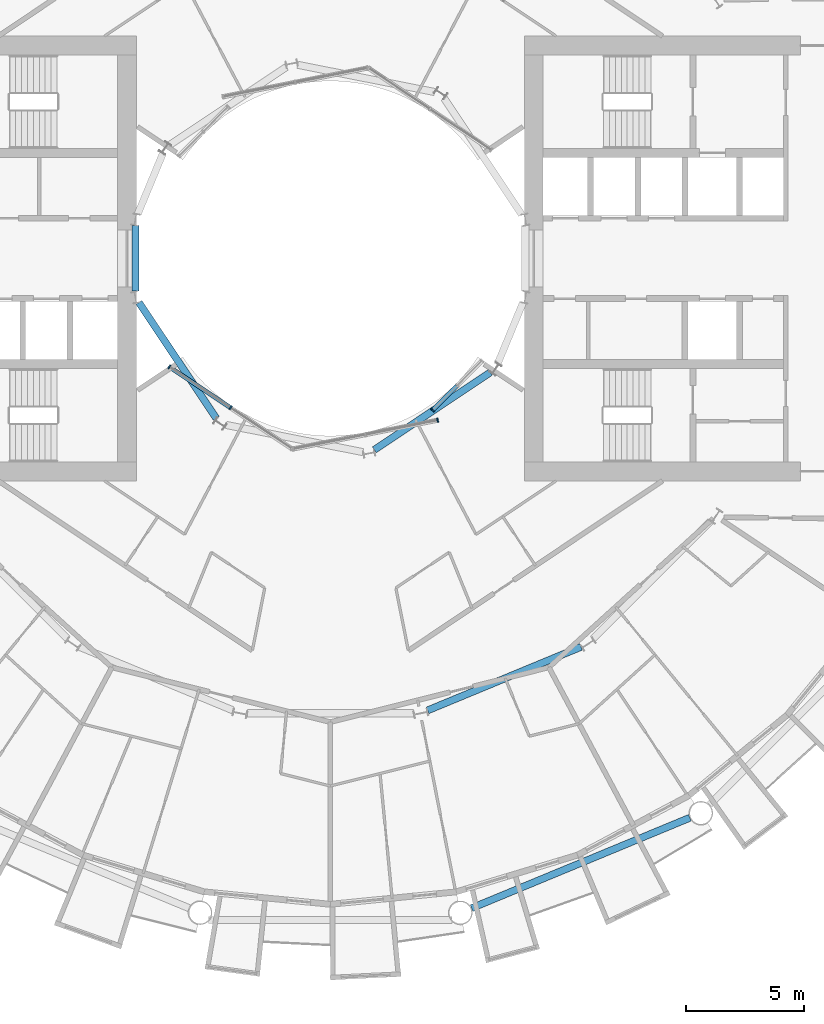
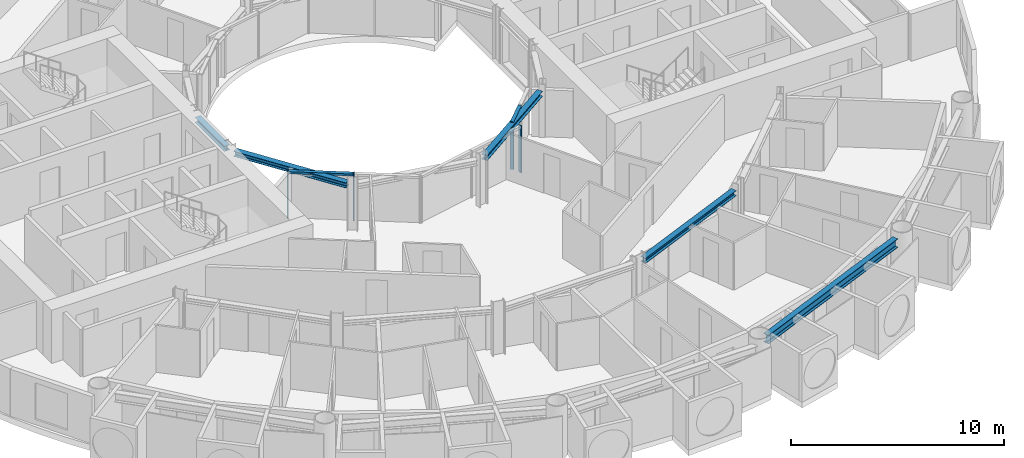
# One storey, part 5 of 26: 6 members, 5 beams, 3 elements without a shape of their own.
"""IFC4 building model written with IfcOpenShell, lengths in metres."""

from ifc_helpers import new_model, si_unit, direction, frame, origin, origin_2d, place, context, subcontext, project, spatial, rectangle, i_section, extrude, material, layer, layer_set, material_profile, profile_set, type_object, element, aggregate, save


model = new_model("IFC4")

# Units and contexts
model_context = context("Model", 3, precision=1e-05, world=origin(), true_north=direction((0.0, 1.0)))
body_context = subcontext(model_context, "Body", "Model", "MODEL_VIEW")
ifc_project = project(units=[si_unit("LENGTHUNIT", "METRE"), si_unit("AREAUNIT", "SQUARE_METRE"), si_unit("VOLUMEUNIT", "CUBIC_METRE"), si_unit("PLANEANGLEUNIT", "RADIAN"), si_unit("MASSUNIT", "GRAM", prefix="KILO")], contexts=[model_context])

# Site, building, storey
site_placement = place(None, origin())
site = spatial("IfcSite", under=ifc_project, at=site_placement, CompositionType="ELEMENT")
building_placement = place(site_placement, origin())
building = spatial("IfcBuilding", under=site, at=building_placement, Name="Maasbend Ring Residences", CompositionType="ELEMENT")
storey_placement = place(building_placement, frame((0.0, 0.0, 28.89990234375)))
storey = spatial("IfcBuildingStorey", under=building, at=storey_placement, Name="L07", CompositionType="ELEMENT", Elevation=28.89990234375)

# Curtain wall, members
ifc_material_1 = material(Name="Aluminium and clear glass", Category="aluminium")
ifc_layer = layer(ifc_material_1, 0.179931640625)
ifc_layer_set = layer_set([ifc_layer], Name="CW-W")
curtain_wall_type = type_object("IfcCurtainWallType", Name="CW-W", PredefinedType="NOTDEFINED", material=ifc_layer_set)
curtain_wall_1_placement = place(storey_placement, origin())
curtain_wall_1 = element("IfcCurtainWall", 1, at=curtain_wall_1_placement, inside=storey, type_object=curtain_wall_type, Name="Well curtain wall S1", PredefinedType="NOTDEFINED")
ifc_material_2 = material(Name="Aluminium 6063-T6", Category="aluminium")
ifc_material_profile_1 = material_profile(ifc_material_2, rectangle(XDim=0.179931640625, YDim=0.06005859375, at=origin_2d()), Name="AL 180x60")
ifc_profile_set_1 = profile_set([ifc_material_profile_1], Name="Aluminium 6063-T6")
member_type_1 = type_object("IfcMemberType", Name="CWM-W", PredefinedType="MULLION", material=ifc_profile_set_1)
member_1_placement = place(storey_placement, frame((-6.805908203125, -4.580810546875, 0.0), z_axis=(0.0, 0.0, 1.0), x_axis=(0.55557023302, 0.831469612303, 0.0)))
member_1 = element("IfcMember", 2, at=member_1_placement, type_object=member_type_1, Name="Mullion well face", PredefinedType="MULLION", context=body_context, shape_type="SweptSolid", body=[
    extrude(rectangle(XDim=0.179931640625, YDim=0.06005859375, at=origin_2d()), origin(), (0.0, 0.0, 1.0), 2.7001953125),
])
member_2_placement = place(storey_placement, frame((-4.216796875, -6.310791015625, 0.0), z_axis=(0.0, 0.0, 1.0), x_axis=(0.55557023302, 0.831469612303, 0.0)))
member_2 = element("IfcMember", 3, at=member_2_placement, type_object=member_type_1, Name="Mullion well face", PredefinedType="MULLION", context=body_context, shape_type="SweptSolid", body=[
    extrude(rectangle(XDim=0.179931640625, YDim=0.06005859375, at=origin_2d()), origin(), (0.0, 0.0, 1.0), 2.7001953125),
])

# Curtain wall, member
curtain_wall_2_placement = place(storey_placement, origin())
curtain_wall_2 = element("IfcCurtainWall", 4, at=curtain_wall_2_placement, inside=storey, type_object=curtain_wall_type, Name="Well curtain wall S2", PredefinedType="NOTDEFINED")
member_3_placement = place(storey_placement, frame((4.53466796875, -6.836669921875, 0.0), z_axis=(0.0, 0.0, 1.0), x_axis=(-0.195090322016, 0.980785280403, 0.0)))
member_3 = element("IfcMember", 5, at=member_3_placement, type_object=member_type_1, Name="Mullion well face", PredefinedType="MULLION", context=body_context, shape_type="SweptSolid", body=[
    extrude(rectangle(XDim=0.179931640625, YDim=0.06005859375, at=origin_2d()), origin(), (0.0, 0.0, 1.0), 2.7001953125),
])
aggregate(curtain_wall_2, [member_3])

curtain_wall_3_placement = place(storey_placement, origin())
curtain_wall_3 = element("IfcCurtainWall", 6, at=curtain_wall_3_placement, inside=storey, type_object=curtain_wall_type, Name="Well curtain wall S3", PredefinedType="NOTDEFINED")
member_4_placement = place(storey_placement, frame((4.320556640625, -6.413330078125, 0.0), z_axis=(0.0, 0.0, 1.0), x_axis=(-0.707106781187, 0.707106781187, 0.0)))
member_4 = element("IfcMember", 7, at=member_4_placement, type_object=member_type_1, Name="Mullion well face", PredefinedType="MULLION", context=body_context, shape_type="SweptSolid", body=[
    extrude(rectangle(XDim=0.179931640625, YDim=0.06005859375, at=origin_2d()), origin(), (0.0, 0.0, 1.0), 2.7001953125),
])

# Member
ifc_material_3 = material(Name="Aluminium 6063-T6", Category="aluminium")
ifc_material_profile_2 = material_profile(ifc_material_3, rectangle(XDim=0.179931640625, YDim=0.1201171875, at=origin_2d()), Name="AL 180x120")
ifc_profile_set_2 = profile_set([ifc_material_profile_2], Name="Aluminium 6063-T6")
member_type_2 = type_object("IfcMemberType", Name="CWT-W", PredefinedType="USERDEFINED", material=ifc_profile_set_2)
member_5_placement = place(storey_placement, frame((-6.781005859375, -4.59765625, 2.64013671875), z_axis=(0.831496422459, -0.555530106689, 0.0), x_axis=(0.555530106689, 0.831496422459, 0.0)))
member_5 = element("IfcMember", 8, at=member_5_placement, type_object=member_type_2, Name="Transom well face", ObjectType="TRANSOM", PredefinedType="USERDEFINED", context=body_context, shape_type="SweptSolid", body=[
    extrude(rectangle(XDim=0.179931640625, YDim=0.1201171875, at=origin_2d()), origin(), (0.0, 0.0, 1.0), 3.053955078125),
])

aggregate(curtain_wall_1, [member_1, member_2, member_5])

member_6_placement = place(storey_placement, frame((4.341796875, -6.39208984375, 2.64013671875), z_axis=(0.707106781187, 0.707106781187, 0.0), x_axis=(-0.707106781187, 0.707106781187, 0.0)))
member_6 = element("IfcMember", 9, at=member_6_placement, type_object=member_type_2, Name="Transom well face", ObjectType="TRANSOM", PredefinedType="USERDEFINED", context=body_context, shape_type="SweptSolid", body=[
    extrude(rectangle(XDim=0.179931640625, YDim=0.1201171875, at=origin_2d()), origin(), (0.0, 0.0, 1.0), 1.419677734375),
])

aggregate(curtain_wall_3, [member_4, member_6])

# Beams
ifc_material_4 = material(Name="Steel S355J2", Category="steel")
ifc_material_profile_3 = material_profile(ifc_material_4, i_section(OverallWidth=0.300048828125, OverallDepth=0.300048828125, WebThickness=0.010986328125, FlangeThickness=0.01904296875, FilletRadius=0.027099609375, at=origin_2d()), Name="HEB 300")
ifc_profile_set_3 = profile_set([ifc_material_profile_3], Name="Steel S355J2")
beam_type_1 = type_object("IfcBeamType", Name="Corridor ring beam HEB 300", PredefinedType="BEAM", material=ifc_profile_set_3)
beam_1_placement = place(storey_placement, frame((4.11572265625, -19.102294921875, 2.550048828125), z_axis=(0.923886196809, 0.38266734293, 0.0), x_axis=(-0.38266734293, 0.923886196809, 0.0)))
element("IfcBeam", 10, at=beam_1_placement, inside=storey, type_object=beam_type_1, Name="Corridor ring beam", PredefinedType="BEAM", context=body_context, shape_type="SweptSolid", body=[
    extrude(i_section(OverallWidth=0.300048828125, OverallDepth=0.300048828125, WebThickness=0.010986328125, FlangeThickness=0.01904296875, FilletRadius=0.027099609375, at=origin_2d()), origin(), (0.0, 0.0, 1.0), 7.015380859375),
])
ifc_material_5 = material(Name="Steel S355J2", Category="steel")
ifc_material_profile_4 = material_profile(ifc_material_5, i_section(OverallWidth=0.300048828125, OverallDepth=0.5, WebThickness=0.014404296875, FlangeThickness=0.028076171875, FilletRadius=0.027099609375, at=origin_2d()), Name="HEB 500")
ifc_profile_set_4 = profile_set([ifc_material_profile_4], Name="Steel S355J2")
beam_type_2 = type_object("IfcBeamType", Name="Spandrel ring beam HEB 500", PredefinedType="SPANDREL", material=ifc_profile_set_4)
beam_2_placement = place(storey_placement, frame((5.970703125, -27.463623046875, 2.4501953125), z_axis=(0.923886337442, 0.382667003395, 0.0), x_axis=(-0.382667003395, 0.923886337442, 0.0)))
element("IfcBeam", 11, at=beam_2_placement, inside=storey, type_object=beam_type_2, Name="Spandrel ring beam", PredefinedType="SPANDREL", context=body_context, shape_type="SweptSolid", body=[
    extrude(i_section(OverallWidth=0.300048828125, OverallDepth=0.5, WebThickness=0.014404296875, FlangeThickness=0.028076171875, FilletRadius=0.027099609375, at=origin_2d()), origin(), (0.0, 0.0, 1.0), 9.9873046875),
])
ifc_material_6 = material(Name="Steel S355J2", Category="steel")
ifc_material_profile_5 = material_profile(ifc_material_6, i_section(OverallWidth=0.300048828125, OverallDepth=0.300048828125, WebThickness=0.010986328125, FlangeThickness=0.01904296875, FilletRadius=0.027099609375, at=origin_2d()), Name="HEB 300")
ifc_profile_set_5 = profile_set([ifc_material_profile_5], Name="Steel S355J2")
beam_type_3 = type_object("IfcBeamType", Name="Well edge beam HEB 300", PredefinedType="BEAM", material=ifc_profile_set_5)
beam_3_placement = place(storey_placement, frame((-8.238525390625, 1.3837890625, 2.550048828125), z_axis=(0.0, -1.0, 0.0), x_axis=(1.0, 0.0, 0.0)))
element("IfcBeam", 12, at=beam_3_placement, inside=storey, type_object=beam_type_3, Name="Well edge beam", PredefinedType="BEAM", context=body_context, shape_type="SweptSolid", body=[
    extrude(i_section(OverallWidth=0.300048828125, OverallDepth=0.300048828125, WebThickness=0.010986328125, FlangeThickness=0.01904296875, FilletRadius=0.027099609375, at=origin_2d()), origin(), (0.0, 0.0, 1.0), 2.767578125),
])
for number, where, z_axis, x_axis, name in (
    (13, (-8.08837890625, -1.86376953125, 2.550048828125), (0.555589782054, -0.831456549723, 0.0), (0.831456549723, 0.555589782054, 0.0), "Well edge beam"),
    (14, (1.86376953125, -8.08837890625, 2.550048828125), (0.831456549723, 0.555589782054, 0.0), (-0.555589782054, 0.831456549723, 0.0), "Well edge beam"),
):
    element("IfcBeam", number, at=place(storey_placement, frame(where, z_axis=z_axis, x_axis=x_axis)), inside=storey, type_object=beam_type_3, Name=name, PredefinedType="BEAM", context=body_context, shape_type="SweptSolid", body=[
        extrude(i_section(OverallWidth=0.300048828125, OverallDepth=0.300048828125, WebThickness=0.010986328125, FlangeThickness=0.01904296875, FilletRadius=0.027099609375, at=origin_2d()), origin(), (0.0, 0.0, 1.0), 5.887939453125),
    ])

save(model, "model.ifc")
